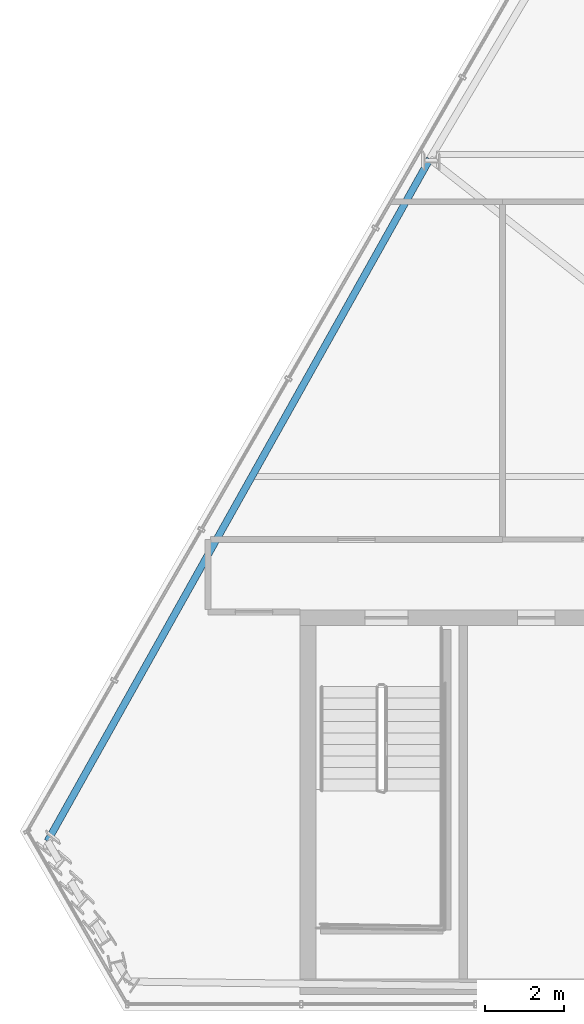
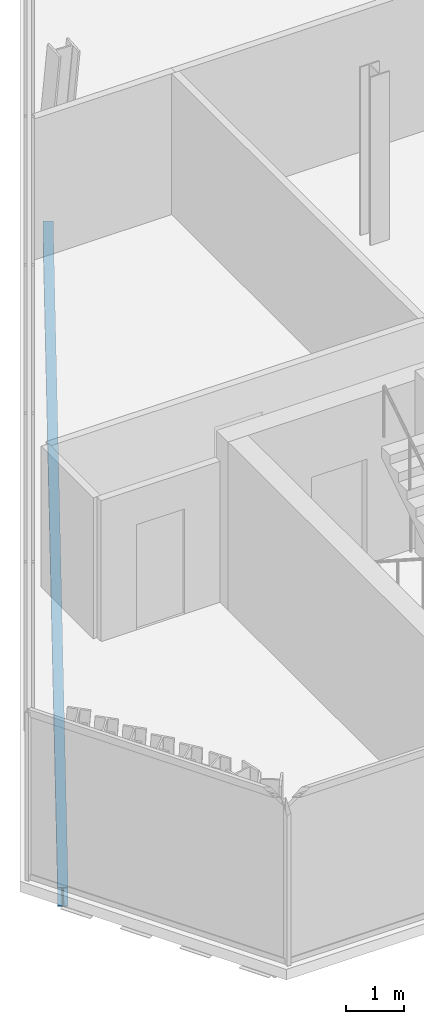
# One storey, part 7 of 35: 1 beam.
"""IFC4 building model written with IfcOpenShell, lengths in metres."""

import ifcopenshell
import ifcopenshell.guid

model = None  # the IFC model being written
_history = None  # IfcOwnerHistory: only IFC2X3 demands one
_inside = {}  # id of a spatial element -> (the spatial element, [elements in it])
_under = {}  # id of a project, library or spatial element -> (it, [spatial elements below it])
_declared = {}  # id of a project -> (the project, [libraries it declares])
_typed = {}  # id of a type object -> (the type object, [elements of that type])
_made_of = {}  # id of a material, layer set ... -> (it, [elements and type objects made of it])


def new_model(schema):
    """Start an empty IFC model of exactly this schema.

    Asked for "IFC4X3", IfcOpenShell would pick the latest addendum, in which some entities
    have other attributes; the version numbers below select the first issue.
    IFC2X3 requires an IfcOwnerHistory on every rooted entity: one is made here for all.
    """
    global model, _history
    if schema == "IFC4X3":
        model = ifcopenshell.file(schema_version=(4, 3, 0, 0))
    else:
        model = ifcopenshell.file(schema=schema)
    _inside.clear()
    _under.clear()
    _declared.clear()
    _typed.clear()
    _made_of.clear()
    _history = None
    if model.schema == "IFC2X3":
        org = make("IfcOrganization", Name="unknown")
        user = make(
            "IfcPersonAndOrganization",
            ThePerson=make("IfcPerson", FamilyName="unknown"),
            TheOrganization=org,
        )
        app = make(
            "IfcApplication",
            ApplicationDeveloper=org,
            Version="unknown",
            ApplicationFullName="unknown",
            ApplicationIdentifier="unknown",
        )
        _history = make(
            "IfcOwnerHistory",
            OwningUser=user,
            OwningApplication=app,
            ChangeAction="ADDED",
            CreationDate=0,
        )
    return model


def make(cls, **values):
    """One entity of the class cls with the attributes given. An attribute that is None is left unset."""
    return model.create_entity(
        cls, **{name: value for name, value in values.items() if value is not None}
    )


def rooted(cls, **values):
    """An entity with a GlobalId (a new one), such as an element, a storey or a relation."""
    return make(cls, GlobalId=ifcopenshell.guid.new(), OwnerHistory=_history, **values)


def si_unit(unit_type, name, prefix=None):
    """IfcSIUnit, for example si_unit("LENGTHUNIT", "METRE", prefix="MILLI")."""
    return make("IfcSIUnit", UnitType=unit_type, Prefix=prefix, Name=name)


def assignment(units):
    """IfcUnitAssignment: the units of a project."""
    return None if units is None else make("IfcUnitAssignment", Units=units)


def point(xyz):
    """IfcCartesianPoint."""
    return None if xyz is None else make("IfcCartesianPoint", Coordinates=xyz)


def direction(xyz):
    """IfcDirection."""
    return None if xyz is None else make("IfcDirection", DirectionRatios=xyz)


def frame(location, z_axis=None, x_axis=None):
    """IfcAxis2Placement3D, a coordinate frame: its origin and axes. An axis left out is left unset."""
    return make(
        "IfcAxis2Placement3D",
        Location=point(location),
        Axis=direction(z_axis),
        RefDirection=direction(x_axis),
    )


def frame_2d(location, x_axis=None):
    """IfcAxis2Placement2D, a coordinate frame in the plane: its origin and x axis."""
    return make(
        "IfcAxis2Placement2D", Location=point(location), RefDirection=direction(x_axis)
    )


def origin():
    """The frame at (0, 0, 0) with its axes left unset."""
    return frame((0.0, 0.0, 0.0))


def origin_2d():
    """The frame at (0, 0) in the plane with its x axis left unset."""
    return frame_2d((0.0, 0.0))


def place(relative_to, where):
    """IfcLocalPlacement: puts the frame where relative to a parent placement (None: the world)."""
    return make(
        "IfcLocalPlacement", PlacementRelTo=relative_to, RelativePlacement=where
    )


def context(
    kind, dimensions, precision=None, world=None, true_north=None, identifier=None
):
    """IfcGeometricRepresentationContext, for example the 3D "Model" context."""
    return make(
        "IfcGeometricRepresentationContext",
        ContextIdentifier=identifier,
        ContextType=kind,
        CoordinateSpaceDimension=dimensions,
        Precision=precision,
        WorldCoordinateSystem=world,
        TrueNorth=true_north,
    )


def subcontext(parent, identifier, kind, view, scale=None):
    """IfcGeometricRepresentationSubContext, for example "Body" below "Model"."""
    return make(
        "IfcGeometricRepresentationSubContext",
        ContextIdentifier=identifier,
        ContextType=kind,
        ParentContext=parent,
        TargetScale=scale,
        TargetView=view,
    )


def project(units=None, contexts=None):
    """IfcProject with its units and contexts."""
    return rooted(
        "IfcProject",
        Name="project",
        RepresentationContexts=contexts,
        UnitsInContext=assignment(units),
    )


def spatial(cls, under=None, at=None, **own):
    """A site, building, storey or space (cls), placed at a placement, below another one or the project."""
    s = rooted(cls, ObjectPlacement=at, **own)
    if under is not None:
        _under.setdefault(under.id(), (under, []))[1].append(s)
    return s


def profile(cls, at=None, kind="AREA", **sizes):
    """A parametric profile (cls). Its sizes go by their IFC names, for example OverallWidth=200.0."""
    return make(cls, ProfileType=kind, Position=at, **sizes)


def i_section(**sizes):
    """IfcIShapeProfileDef."""
    return profile("IfcIShapeProfileDef", **sizes)


def extrude(swept, where, along, depth):
    """IfcExtrudedAreaSolid: the profile swept, set in the frame where, extruded along a direction by depth."""
    return make(
        "IfcExtrudedAreaSolid",
        SweptArea=swept,
        Position=where,
        ExtrudedDirection=direction(along),
        Depth=depth,
    )


def shape(context_of_items, identifier, shape_type, items):
    """IfcShapeRepresentation: the items that make up one representation, for example the "Body"."""
    return make(
        "IfcShapeRepresentation",
        ContextOfItems=context_of_items,
        RepresentationIdentifier=identifier,
        RepresentationType=shape_type,
        Items=items,
    )


def material(Name=None, Category=None):
    """IfcMaterial."""
    return make("IfcMaterial", Name=Name, Category=Category)


def material_profile(
    of_material, cross_section, Name=None, Category=None, Priority=None
):
    """IfcMaterialProfile: a cross section and its material."""
    return make(
        "IfcMaterialProfile",
        Name=Name,
        Material=of_material,
        Profile=cross_section,
        Priority=Priority,
        Category=Category,
    )


def profile_set(profiles, Name=None, composite=None):
    """IfcMaterialProfileSet."""
    return make(
        "IfcMaterialProfileSet",
        Name=Name,
        MaterialProfiles=profiles,
        CompositeProfile=composite,
    )


def made_of(thing, what):
    """Note that an element or type object is made of a material, layer set ...; save() writes the relation."""
    if what is not None:
        _made_of.setdefault(what.id(), (what, []))[1].append(thing)
    return thing


def type_object(cls, material=None, **own):
    """A type object (cls), such as IfcWallType, which elements share."""
    return made_of(rooted(cls, **own), material)


def element(
    cls,
    number,
    at=None,
    inside=None,
    cuts=None,
    type_object=None,
    material=None,
    context=None,
    identifier="Body",
    shape_type=None,
    held_by="IfcProductDefinitionShape",
    body=None,
    shapes=None,
    **own,
):
    """One element of the class cls, such as IfcWall. Its Tag is "e" and its number.

    at: its placement. inside: the storey or other place that contains it. cuts: it is an
    opening in that element (IfcRelVoidsElement). A single representation is given by context,
    identifier, shape_type and body (its items); several are given by shapes. held_by: the class
    of the entity that holds the representations. save() writes the other relations.
    """
    e = rooted(cls, Tag="e%d" % number, ObjectPlacement=at, **own)
    if body is not None:
        shapes = [shape(context, identifier, shape_type, body)]
    if shapes is not None:
        e.Representation = make(held_by, Representations=shapes)
    if inside is not None:
        _inside.setdefault(inside.id(), (inside, []))[1].append(e)
    if cuts is not None:
        rooted(
            "IfcRelVoidsElement", RelatingBuildingElement=cuts, RelatedOpeningElement=e
        )
    if type_object is not None:
        _typed.setdefault(type_object.id(), (type_object, []))[1].append(e)
    return made_of(e, material)


def aggregate(whole, parts):
    """IfcRelAggregates: a whole, such as a stair, and the parts it consists of."""
    return rooted("IfcRelAggregates", RelatingObject=whole, RelatedObjects=parts)


def save(model, path):
    """Write the relations noted so far, then the file.

    IfcRelAggregates (storeys below a building ...), IfcRelContainedInSpatialStructure (elements
    in a storey), IfcRelDefinesByType, IfcRelAssociatesMaterial and IfcRelDeclares: one each for
    every whole, place, type object, material and project.
    """
    for whole, parts in _under.values():
        aggregate(whole, parts)
    for where, things in _inside.values():
        rooted(
            "IfcRelContainedInSpatialStructure",
            RelatedElements=things,
            RelatingStructure=where,
        )
    for kind, things in _typed.values():
        rooted("IfcRelDefinesByType", RelatedObjects=things, RelatingType=kind)
    for what, things in _made_of.values():
        rooted("IfcRelAssociatesMaterial", RelatedObjects=things, RelatingMaterial=what)
    for by, libraries in _declared.values():
        rooted("IfcRelDeclares", RelatingContext=by, RelatedDefinitions=libraries)
    model.write(path)


model = new_model("IFC4")

# Units and contexts
model_context = context("Model", 3, precision=1e-05, world=origin(), true_north=direction((0.0, 1.0)))
body_context = subcontext(model_context, "Body", "Model", "MODEL_VIEW")
ifc_project = project(units=[si_unit("LENGTHUNIT", "METRE"), si_unit("AREAUNIT", "SQUARE_METRE"), si_unit("VOLUMEUNIT", "CUBIC_METRE"), si_unit("PLANEANGLEUNIT", "RADIAN"), si_unit("MASSUNIT", "GRAM", prefix="KILO")], contexts=[model_context])

# Site, building, storey
site_placement = place(None, origin())
site = spatial("IfcSite", under=ifc_project, at=site_placement, CompositionType="ELEMENT")
building_placement = place(site_placement, origin())
building = spatial("IfcBuilding", under=site, at=building_placement, Name="Ndaravel Arena Tower", CompositionType="ELEMENT")
storey_placement = place(building_placement, frame((0.0, 0.0, 275.0)))
storey = spatial("IfcBuildingStorey", under=building, at=storey_placement, Name="L67", CompositionType="ELEMENT", Elevation=275.0)

# Beam
ifc_material = material(Name="Steel S355", Category="steel")
ifc_material_profile = material_profile(ifc_material, i_section(OverallWidth=0.179931640625, OverallDepth=0.39990234375, WebThickness=0.008544921875, FlangeThickness=0.013427734375, FilletRadius=0.02099609375, at=origin_2d()), Name="IPE 400")
ifc_profile_set = profile_set([ifc_material_profile], Name="Steel S355")
beam_type = type_object("IfcBeamType", Name="BM-SPAN-IPE400", PredefinedType="SPANDREL", material=ifc_profile_set)
beam_placement = place(storey_placement, frame((29.752685546875, 26.69287109375, -0.419921875), z_axis=(-0.488846264498, -0.872369950013, 0.0), x_axis=(0.872369950013, -0.488846264498, 0.0)))
element("IfcBeam", 1, at=beam_placement, inside=storey, type_object=beam_type, Name="L67 Perimeter Spandrel Beam SP-19", PredefinedType="SPANDREL", context=body_context, shape_type="SweptSolid", body=[
    extrude(i_section(OverallWidth=0.179931640625, OverallDepth=0.39990234375, WebThickness=0.008544921875, FlangeThickness=0.013427734375, FilletRadius=0.02099609375, at=origin_2d()), origin(), (0.0, 0.0, 1.0), 19.92333984375),
])

save(model, "model.ifc")
